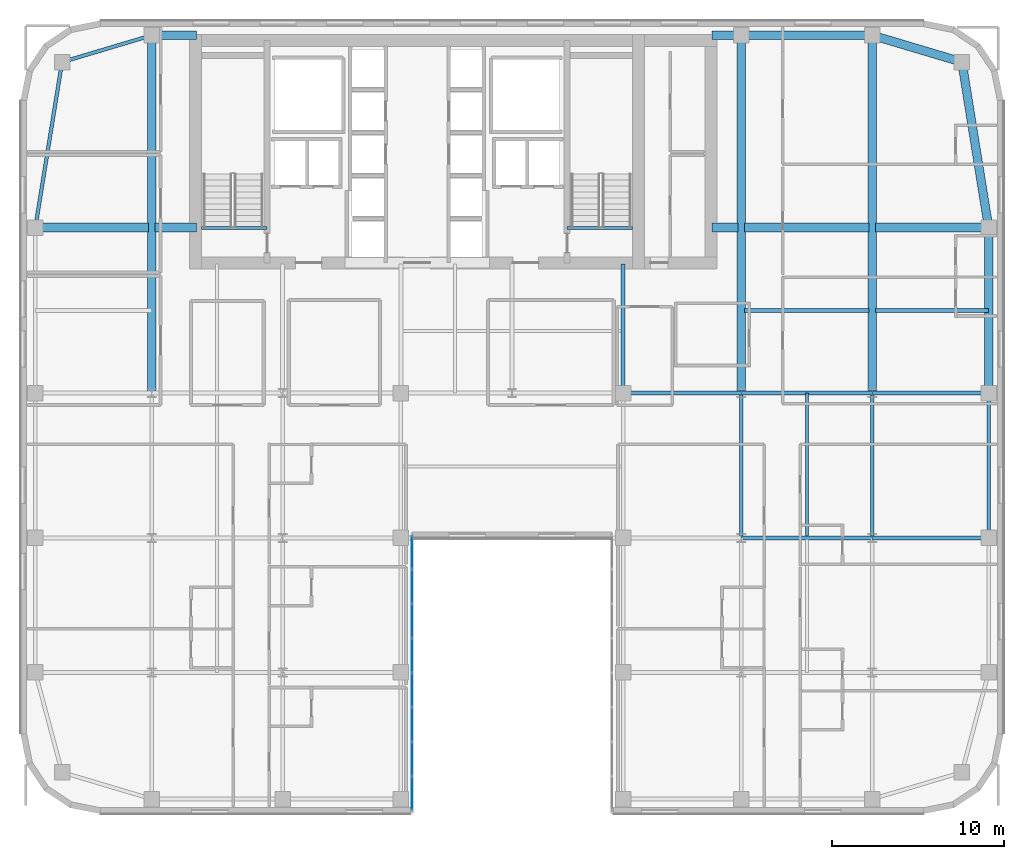
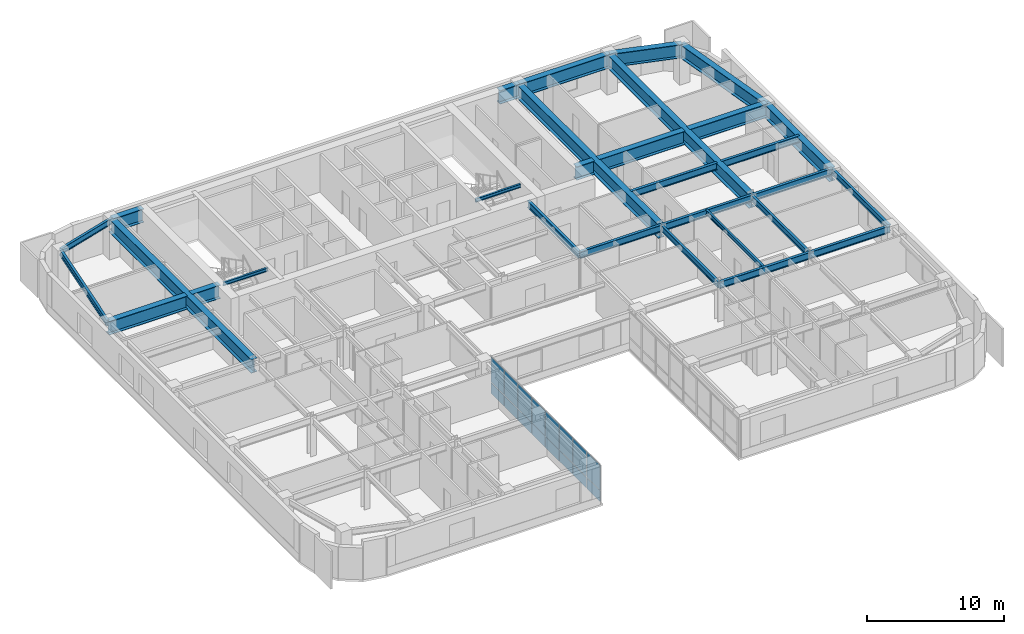
# One storey, part 12 of 24: 30 beams, 16 plates, 1 element without a shape of its own.
"""IFC4 building model written with IfcOpenShell, lengths in metres."""

from ifc_helpers import new_model, si_unit, direction, frame, origin, origin_2d, place, context, subcontext, project, spatial, rectangle, i_section, extrude, source, transform, mapped, material, layer, layer_set, material_profile, profile_set, type_object, type_shapes, element, aggregate, save


model = new_model("IFC4")

# Units and contexts
model_context = context("Model", 3, precision=1e-05, world=origin(), true_north=direction((0.0, 1.0)))
body_context = subcontext(model_context, "Body", "Model", "MODEL_VIEW")
ifc_project = project(units=[si_unit("LENGTHUNIT", "METRE"), si_unit("AREAUNIT", "SQUARE_METRE"), si_unit("VOLUMEUNIT", "CUBIC_METRE"), si_unit("PLANEANGLEUNIT", "RADIAN"), si_unit("MASSUNIT", "GRAM", prefix="KILO")], contexts=[model_context])

# Site, building, storey
site_placement = place(None, origin())
site = spatial("IfcSite", under=ifc_project, at=site_placement, CompositionType="ELEMENT")
building_placement = place(site_placement, origin())
building = spatial("IfcBuilding", under=site, at=building_placement, Name="Tolvann Quenvar Hotel", CompositionType="ELEMENT")
storey_placement = place(building_placement, frame((0.0, 0.0, 139.949951171875)))
storey = spatial("IfcBuildingStorey", under=building, at=storey_placement, Name="L36", CompositionType="ELEMENT", Elevation=139.949951171875)

# Beams
ifc_material_1 = material(Name="Steel Grade 350", Category="steel")
ifc_material_profile_1 = material_profile(ifc_material_1, i_section(OverallWidth=0.5, OverallDepth=1.199951171875, WebThickness=0.01611328125, FlangeThickness=0.0400390625, at=origin_2d()), Name="1200WB455")
ifc_profile_set_1 = profile_set([ifc_material_profile_1], Name="Steel Grade 350")
beam_type_1 = type_object("IfcBeamType", Name="BM_TG_1200WB455", PredefinedType="USERDEFINED", material=ifc_profile_set_1)
shared_shape_1 = source(origin(), body_context, "Body", "SweptSolid", [
    extrude(i_section(OverallWidth=0.5, OverallDepth=1.199951171875, WebThickness=0.01611328125, FlangeThickness=0.0400390625, at=origin_2d()), origin(), (0.0, 0.0, 1.0), 7.599853515625),
])
beam_1_placement = place(storey_placement, frame((49.39990234375, 45.14990234375, 2.77001953125), z_axis=(-1.0, 0.0, 0.0), x_axis=(0.0, -1.0, 0.0)))
element("IfcBeam", 1, at=beam_1_placement, inside=storey, type_object=beam_type_1, Name="BM-L36-FLK-E4", ObjectType="TRANSFER GIRDER", PredefinedType="USERDEFINED", context=body_context, shape_type="MappedRepresentation", body=[
    mapped(shared_shape_1, transform((0.0, 0.0, 0.0), x_axis=(1.0, 0.0, 0.0), y_axis=(0.0, 1.0, 0.0), z_axis=(0.0, 0.0, 1.0), scale=1.0)),
])
shared_shape_2 = source(origin(), body_context, "Body", "SweptSolid", [
    extrude(i_section(OverallWidth=0.5, OverallDepth=1.199951171875, WebThickness=0.01611328125, FlangeThickness=0.0400390625, at=origin_2d()), origin(), (0.0, 0.0, 1.0), 9.60009765625),
])
beam_2_placement = place(storey_placement, frame((56.14990234375, 24.39990234375, 2.77001953125), z_axis=(0.0, 1.0, 0.0), x_axis=(-1.0, 0.0, 0.0)))
element("IfcBeam", 2, at=beam_2_placement, inside=storey, type_object=beam_type_1, Name="BM-L36-FLK-E1", ObjectType="TRANSFER GIRDER", PredefinedType="USERDEFINED", context=body_context, shape_type="MappedRepresentation", body=[
    mapped(shared_shape_2, transform((0.0, 0.0, 0.0), x_axis=(1.0, 0.0, 0.0), y_axis=(0.0, 1.0, 0.0), z_axis=(0.0, 0.0, 1.0), scale=1.0)),
])
ifc_material_profile_2 = material_profile(ifc_material_1, i_section(OverallWidth=0.208984375, OverallDepth=0.528076171875, WebThickness=0.009521484375, FlangeThickness=0.01318359375, FilletRadius=0.013916015625, at=origin_2d()), Name="530UB82")
ifc_profile_set_2 = profile_set([ifc_material_profile_2], Name="Steel Grade 350")
beam_type_2 = type_object("IfcBeamType", Name="BM_SPAND_530UB82", PredefinedType="SPANDREL", material=ifc_profile_set_2)
shared_shape_3 = source(origin(), body_context, "Body", "SweptSolid", [
    extrude(i_section(OverallWidth=0.208984375, OverallDepth=0.528076171875, WebThickness=0.009521484375, FlangeThickness=0.01318359375, FilletRadius=0.013916015625, at=origin_2d()), origin(), (0.0, 0.0, 1.0), 5.42626953125),
])
beam_3_placement = place(storey_placement, frame((2.39990234375, 43.60009765625, 3.10595703125), z_axis=(0.958344815522, 0.285613750654, 0.0), x_axis=(-0.285613750654, 0.958344815522, 0.0)))
element("IfcBeam", 3, at=beam_3_placement, inside=storey, type_object=beam_type_2, Name="BM-L36-FLK-W3", PredefinedType="SPANDREL", context=body_context, shape_type="MappedRepresentation", body=[
    mapped(shared_shape_3, transform((0.0, 0.0, 0.0), x_axis=(1.0, 0.0, 0.0), y_axis=(0.0, 1.0, 0.0), z_axis=(0.0, 0.0, 1.0), scale=1.0)),
])
ifc_material_profile_3 = material_profile(ifc_material_1, i_section(OverallWidth=0.22900390625, OverallDepth=0.612060546875, WebThickness=0.011962890625, FlangeThickness=0.01953125, FilletRadius=0.013916015625, at=origin_2d()), Name="610UB125")
ifc_profile_set_3 = profile_set([ifc_material_profile_3], Name="Steel Grade 350")
beam_type_3 = type_object("IfcBeamType", Name="BM_GIRD_610UB125", PredefinedType="BEAM", material=ifc_profile_set_3)
shared_shape_4 = source(origin(), body_context, "Body", "SweptSolid", [
    extrude(i_section(OverallWidth=0.22900390625, OverallDepth=0.612060546875, WebThickness=0.011962890625, FlangeThickness=0.01953125, FilletRadius=0.013916015625, at=origin_2d()), origin(), (0.0, 0.0, 1.0), 6.75),
])
for number, where, z_axis, x_axis, name in (
    (4, (49.39990234375, 16.0, 3.06396484375), (1.0, 0.0, 0.0), (0.0, 1.0, 0.0), "BM-L36-EW-4-I4-J4"),
    (5, (49.39990234375, 24.39990234375, 3.06396484375), (1.0, 0.0, 0.0), (0.0, 1.0, 0.0), "BM-L36-EW-5-I5-J5"),
):
    element("IfcBeam", number, at=place(storey_placement, frame(where, z_axis=z_axis, x_axis=x_axis)), inside=storey, type_object=beam_type_3, Name=name, PredefinedType="BEAM", context=body_context, shape_type="MappedRepresentation", body=[
        mapped(shared_shape_4, transform((0.0, 0.0, 0.0), x_axis=(1.0, 0.0, 0.0), y_axis=(0.0, 1.0, 0.0), z_axis=(0.0, 0.0, 1.0), scale=1.0)),
    ])
shared_shape_5 = source(origin(), body_context, "Body", "SweptSolid", [
    extrude(i_section(OverallWidth=0.22900390625, OverallDepth=0.612060546875, WebThickness=0.011962890625, FlangeThickness=0.01953125, FilletRadius=0.013916015625, at=origin_2d()), origin(), (0.0, 0.0, 1.0), 7.599853515625),
])
for number, where, z_axis, x_axis, name in (
    (6, (41.800048828125, 16.0, 3.06396484375), (1.0, 0.0, 0.0), (0.0, 1.0, 0.0), "BM-L36-EW-4-H4-I4"),
    (7, (41.800048828125, 24.39990234375, 3.06396484375), (1.0, 0.0, 0.0), (0.0, 1.0, 0.0), "BM-L36-EW-5-H5-I5"),
):
    element("IfcBeam", number, at=place(storey_placement, frame(where, z_axis=z_axis, x_axis=x_axis)), inside=storey, type_object=beam_type_3, Name=name, PredefinedType="BEAM", context=body_context, shape_type="MappedRepresentation", body=[
        mapped(shared_shape_5, transform((0.0, 0.0, 0.0), x_axis=(1.0, 0.0, 0.0), y_axis=(0.0, 1.0, 0.0), z_axis=(0.0, 0.0, 1.0), scale=1.0)),
    ])
shared_shape_6 = source(origin(), body_context, "Body", "SweptSolid", [
    extrude(i_section(OverallWidth=0.22900390625, OverallDepth=0.612060546875, WebThickness=0.011962890625, FlangeThickness=0.01953125, FilletRadius=0.013916015625, at=origin_2d()), origin(), (0.0, 0.0, 1.0), 6.85009765625),
])
beam_4_placement = place(storey_placement, frame((34.949951171875, 24.39990234375, 3.06396484375), z_axis=(1.0, 0.0, 0.0), x_axis=(0.0, 1.0, 0.0)))
element("IfcBeam", 8, at=beam_4_placement, inside=storey, type_object=beam_type_3, Name="BM-L36-EW-5-F5-H5", PredefinedType="BEAM", context=body_context, shape_type="MappedRepresentation", body=[
    mapped(shared_shape_6, transform((0.0, 0.0, 0.0), x_axis=(1.0, 0.0, 0.0), y_axis=(0.0, 1.0, 0.0), z_axis=(0.0, 0.0, 1.0), scale=1.0)),
])
shared_shape_7 = source(origin(), body_context, "Body", "SweptSolid", [
    extrude(i_section(OverallWidth=0.208984375, OverallDepth=0.528076171875, WebThickness=0.009521484375, FlangeThickness=0.01318359375, FilletRadius=0.013916015625, at=origin_2d()), origin(), (0.0, 0.0, 1.0), 8.39990234375),
])
beam_5_placement = place(storey_placement, frame((56.14990234375, 16.0, 3.10595703125), z_axis=(0.0, 1.0, 0.0), x_axis=(-1.0, 0.0, 0.0)))
element("IfcBeam", 9, at=beam_5_placement, inside=storey, type_object=beam_type_2, Name="BM-L36-NS-J4-J5", PredefinedType="SPANDREL", context=body_context, shape_type="MappedRepresentation", body=[
    mapped(shared_shape_7, transform((0.0, 0.0, 0.0), x_axis=(1.0, 0.0, 0.0), y_axis=(0.0, 1.0, 0.0), z_axis=(0.0, 0.0, 1.0), scale=1.0)),
])
ifc_material_profile_4 = material_profile(ifc_material_1, i_section(OverallWidth=0.208984375, OverallDepth=0.532958984375, WebThickness=0.01025390625, FlangeThickness=0.015625, FilletRadius=0.013916015625, at=origin_2d()), Name="530UB92")
ifc_profile_set_4 = profile_set([ifc_material_profile_4], Name="Steel Grade 350")
beam_type_4 = type_object("IfcBeamType", Name="BM_GIRD_530UB92", PredefinedType="BEAM", material=ifc_profile_set_4)
shared_shape_8 = source(origin(), body_context, "Body", "SweptSolid", [
    extrude(i_section(OverallWidth=0.208984375, OverallDepth=0.532958984375, WebThickness=0.01025390625, FlangeThickness=0.015625, FilletRadius=0.013916015625, at=origin_2d()), origin(), (0.0, 0.0, 1.0), 8.39990234375),
])
type_shapes(beam_type_4, [shared_shape_8])
for number, where, z_axis, x_axis, name in (
    (10, (41.800048828125, 16.0, 3.103515625), (0.0, 1.0, 0.0), (-1.0, 0.0, 0.0), "BM-L36-NS-H4-H5"),
    (11, (49.39990234375, 16.0, 3.103515625), (0.0, 1.0, 0.0), (-1.0, 0.0, 0.0), "BM-L36-NS-I4-I5"),
):
    element("IfcBeam", number, at=place(storey_placement, frame(where, z_axis=z_axis, x_axis=x_axis)), inside=storey, type_object=beam_type_4, Name=name, PredefinedType="BEAM", context=body_context, shape_type="MappedRepresentation", body=[
        mapped(shared_shape_8, transform((0.0, 0.0, 0.0), x_axis=(1.0, 0.0, 0.0), y_axis=(0.0, 1.0, 0.0), z_axis=(0.0, 0.0, 1.0), scale=1.0)),
    ])
shared_shape_9 = source(origin(), body_context, "Body", "SweptSolid", [
    extrude(i_section(OverallWidth=0.22900390625, OverallDepth=0.612060546875, WebThickness=0.011962890625, FlangeThickness=0.01953125, FilletRadius=0.013916015625, at=origin_2d()), origin(), (0.0, 0.0, 1.0), 7.5),
])
beam_6_placement = place(storey_placement, frame((34.949951171875, 24.39990234375, 3.06396484375), z_axis=(0.0, 1.0, 0.0), x_axis=(-1.0, 0.0, 0.0)))
element("IfcBeam", 12, at=beam_6_placement, inside=storey, type_object=beam_type_3, Name="BM-L36-CORE-F5", PredefinedType="BEAM", context=body_context, shape_type="MappedRepresentation", body=[
    mapped(shared_shape_9, transform((0.0, 0.0, 0.0), x_axis=(1.0, 0.0, 0.0), y_axis=(0.0, 1.0, 0.0), z_axis=(0.0, 0.0, 1.0), scale=1.0)),
])
shared_shape_10 = source(origin(), body_context, "Body", "SweptSolid", [
    extrude(i_section(OverallWidth=0.208984375, OverallDepth=0.528076171875, WebThickness=0.009521484375, FlangeThickness=0.01318359375, FilletRadius=0.013916015625, at=origin_2d()), origin(), (0.0, 0.0, 1.0), 9.724365234375),
])
type_shapes(beam_type_2, [shared_shape_3, shared_shape_7, shared_shape_10])
beam_7_placement = place(storey_placement, frame((0.85009765625, 34.0, 3.10595703125), z_axis=(0.159372939192, 0.987218449105, 0.0), x_axis=(-0.987218449105, 0.159372939192, 0.0)))
element("IfcBeam", 13, at=beam_7_placement, inside=storey, type_object=beam_type_2, Name="BM-L36-FLK-W2", PredefinedType="SPANDREL", context=body_context, shape_type="MappedRepresentation", body=[
    mapped(shared_shape_10, transform((0.0, 0.0, 0.0), x_axis=(1.0, 0.0, 0.0), y_axis=(0.0, 1.0, 0.0), z_axis=(0.0, 0.0, 1.0), scale=1.0)),
])
shared_shape_11 = source(origin(), body_context, "Body", "SweptSolid", [
    extrude(i_section(OverallWidth=0.5, OverallDepth=1.199951171875, WebThickness=0.01611328125, FlangeThickness=0.0400390625, at=origin_2d()), origin(), (0.0, 0.0, 1.0), 20.75),
])
for number, where, z_axis, x_axis, name in (
    (14, (7.60009765625, 24.39990234375, 2.77001953125), (0.0, 1.0, 0.0), (-1.0, 0.0, 0.0), "BM-L36-FLK-WC"),
    (15, (41.800048828125, 24.39990234375, 2.77001953125), (0.0, 1.0, 0.0), (-1.0, 0.0, 0.0), "BM-L36-FLK-EH"),
    (16, (49.39990234375, 24.39990234375, 2.77001953125), (0.0, 1.0, 0.0), (-1.0, 0.0, 0.0), "BM-L36-FLK-EI"),
):
    element("IfcBeam", number, at=place(storey_placement, frame(where, z_axis=z_axis, x_axis=x_axis)), inside=storey, type_object=beam_type_1, Name=name, ObjectType="TRANSFER GIRDER", PredefinedType="USERDEFINED", context=body_context, shape_type="MappedRepresentation", body=[
        mapped(shared_shape_11, transform((0.0, 0.0, 0.0), x_axis=(1.0, 0.0, 0.0), y_axis=(0.0, 1.0, 0.0), z_axis=(0.0, 0.0, 1.0), scale=1.0)),
    ])
shared_shape_12 = source(origin(), body_context, "Body", "SweptSolid", [
    extrude(i_section(OverallWidth=0.5, OverallDepth=1.199951171875, WebThickness=0.01611328125, FlangeThickness=0.0400390625, at=origin_2d()), origin(), (0.0, 0.0, 1.0), 6.56982421875),
])
for number, where, z_axis, x_axis, name in (
    (17, (0.85009765625, 34.0, 2.77001953125), (1.0, 0.0, 0.0), (0.0, 1.0, 0.0), "BM-L36-CTW-MID1"),
    (18, (49.580078125, 34.0, 2.77001953125), (1.0, 0.0, 0.0), (0.0, 1.0, 0.0), "BM-L36-CTE-JD6C"),
):
    element("IfcBeam", number, at=place(storey_placement, frame(where, z_axis=z_axis, x_axis=x_axis)), inside=storey, type_object=beam_type_1, Name=name, ObjectType="TRANSFER GIRDER", PredefinedType="USERDEFINED", context=body_context, shape_type="MappedRepresentation", body=[
        mapped(shared_shape_12, transform((0.0, 0.0, 0.0), x_axis=(1.0, 0.0, 0.0), y_axis=(0.0, 1.0, 0.0), z_axis=(0.0, 0.0, 1.0), scale=1.0)),
    ])
shared_shape_13 = source(origin(), body_context, "Body", "SweptSolid", [
    extrude(i_section(OverallWidth=0.5, OverallDepth=1.199951171875, WebThickness=0.01611328125, FlangeThickness=0.0400390625, at=origin_2d()), origin(), (0.0, 0.0, 1.0), 2.419921875),
])
beam_8_placement = place(storey_placement, frame((7.780029296875, 34.0, 2.77001953125), z_axis=(1.0, 0.0, 0.0), x_axis=(0.0, 1.0, 0.0)))
element("IfcBeam", 19, at=beam_8_placement, inside=storey, type_object=beam_type_1, Name="BM-L36-CTW-MID2", ObjectType="TRANSFER GIRDER", PredefinedType="USERDEFINED", context=body_context, shape_type="MappedRepresentation", body=[
    mapped(shared_shape_13, transform((0.0, 0.0, 0.0), x_axis=(1.0, 0.0, 0.0), y_axis=(0.0, 1.0, 0.0), z_axis=(0.0, 0.0, 1.0), scale=1.0)),
])
shared_shape_14 = source(origin(), body_context, "Body", "SweptSolid", [
    extrude(i_section(OverallWidth=0.5, OverallDepth=1.199951171875, WebThickness=0.01611328125, FlangeThickness=0.0400390625, at=origin_2d()), origin(), (0.0, 0.0, 1.0), 2.599853515625),
])
beam_9_placement = place(storey_placement, frame((7.60009765625, 45.14990234375, 2.77001953125), z_axis=(1.0, 0.0, 0.0), x_axis=(0.0, 1.0, 0.0)))
element("IfcBeam", 20, at=beam_9_placement, inside=storey, type_object=beam_type_1, Name="BM-L36-CTW-CN", ObjectType="TRANSFER GIRDER", PredefinedType="USERDEFINED", context=body_context, shape_type="MappedRepresentation", body=[
    mapped(shared_shape_14, transform((0.0, 0.0, 0.0), x_axis=(1.0, 0.0, 0.0), y_axis=(0.0, 1.0, 0.0), z_axis=(0.0, 0.0, 1.0), scale=1.0)),
])
shared_shape_15 = source(origin(), body_context, "Body", "SweptSolid", [
    extrude(i_section(OverallWidth=0.5, OverallDepth=1.199951171875, WebThickness=0.01611328125, FlangeThickness=0.0400390625, at=origin_2d()), origin(), (0.0, 0.0, 1.0), 9.724365234375),
])
beam_10_placement = place(storey_placement, frame((56.14990234375, 34.0, 2.77001953125), z_axis=(-0.159372939192, 0.987218449105, 0.0), x_axis=(-0.987218449105, -0.159372939192, 0.0)))
element("IfcBeam", 21, at=beam_10_placement, inside=storey, type_object=beam_type_1, Name="BM-L36-FLK-E2", ObjectType="TRANSFER GIRDER", PredefinedType="USERDEFINED", context=body_context, shape_type="MappedRepresentation", body=[
    mapped(shared_shape_15, transform((0.0, 0.0, 0.0), x_axis=(1.0, 0.0, 0.0), y_axis=(0.0, 1.0, 0.0), z_axis=(0.0, 0.0, 1.0), scale=1.0)),
])
shared_shape_16 = source(origin(), body_context, "Body", "SweptSolid", [
    extrude(i_section(OverallWidth=0.5, OverallDepth=1.199951171875, WebThickness=0.01611328125, FlangeThickness=0.0400390625, at=origin_2d()), origin(), (0.0, 0.0, 1.0), 5.42626953125),
])
beam_11_placement = place(storey_placement, frame((54.60009765625, 43.60009765625, 2.77001953125), z_axis=(-0.958344815522, 0.285613750654, 0.0), x_axis=(-0.285613750654, -0.958344815522, 0.0)))
element("IfcBeam", 22, at=beam_11_placement, inside=storey, type_object=beam_type_1, Name="BM-L36-FLK-E3", ObjectType="TRANSFER GIRDER", PredefinedType="USERDEFINED", context=body_context, shape_type="MappedRepresentation", body=[
    mapped(shared_shape_16, transform((0.0, 0.0, 0.0), x_axis=(1.0, 0.0, 0.0), y_axis=(0.0, 1.0, 0.0), z_axis=(0.0, 0.0, 1.0), scale=1.0)),
])
shared_shape_17 = source(origin(), body_context, "Body", "SweptSolid", [
    extrude(i_section(OverallWidth=0.5, OverallDepth=1.199951171875, WebThickness=0.01611328125, FlangeThickness=0.0400390625, at=origin_2d()), origin(), (0.0, 0.0, 1.0), 1.699951171875),
])
beam_12_placement = place(storey_placement, frame((40.10009765625, 45.14990234375, 2.77001953125), z_axis=(1.0, 0.0, 0.0), x_axis=(0.0, 1.0, 0.0)))
element("IfcBeam", 23, at=beam_12_placement, inside=storey, type_object=beam_type_1, Name="BM-L36-CTE-HN", ObjectType="TRANSFER GIRDER", PredefinedType="USERDEFINED", context=body_context, shape_type="MappedRepresentation", body=[
    mapped(shared_shape_17, transform((0.0, 0.0, 0.0), x_axis=(1.0, 0.0, 0.0), y_axis=(0.0, 1.0, 0.0), z_axis=(0.0, 0.0, 1.0), scale=1.0)),
])
shared_shape_18 = source(origin(), body_context, "Body", "SweptSolid", [
    extrude(i_section(OverallWidth=0.5, OverallDepth=1.199951171875, WebThickness=0.01611328125, FlangeThickness=0.0400390625, at=origin_2d()), origin(), (0.0, 0.0, 1.0), 1.52001953125),
])
beam_13_placement = place(storey_placement, frame((40.10009765625, 34.0, 2.77001953125), z_axis=(1.0, 0.0, 0.0), x_axis=(0.0, 1.0, 0.0)))
element("IfcBeam", 24, at=beam_13_placement, inside=storey, type_object=beam_type_1, Name="BM-L36-CTE-JD6A", ObjectType="TRANSFER GIRDER", PredefinedType="USERDEFINED", context=body_context, shape_type="MappedRepresentation", body=[
    mapped(shared_shape_18, transform((0.0, 0.0, 0.0), x_axis=(1.0, 0.0, 0.0), y_axis=(0.0, 1.0, 0.0), z_axis=(0.0, 0.0, 1.0), scale=1.0)),
])
shared_shape_19 = source(origin(), body_context, "Body", "SweptSolid", [
    extrude(i_section(OverallWidth=0.5, OverallDepth=1.199951171875, WebThickness=0.01611328125, FlangeThickness=0.0400390625, at=origin_2d()), origin(), (0.0, 0.0, 1.0), 7.239990234375),
])
type_shapes(beam_type_1, [shared_shape_1, shared_shape_2, shared_shape_11, shared_shape_12, shared_shape_13, shared_shape_14, shared_shape_15, shared_shape_16, shared_shape_17, shared_shape_18, shared_shape_19])
beam_14_placement = place(storey_placement, frame((41.97998046875, 34.0, 2.77001953125), z_axis=(1.0, 0.0, 0.0), x_axis=(0.0, 1.0, 0.0)))
element("IfcBeam", 25, at=beam_14_placement, inside=storey, type_object=beam_type_1, Name="BM-L36-CTE-JD6B", ObjectType="TRANSFER GIRDER", PredefinedType="USERDEFINED", context=body_context, shape_type="MappedRepresentation", body=[
    mapped(shared_shape_19, transform((0.0, 0.0, 0.0), x_axis=(1.0, 0.0, 0.0), y_axis=(0.0, 1.0, 0.0), z_axis=(0.0, 0.0, 1.0), scale=1.0)),
])
shared_shape_20 = source(origin(), body_context, "Body", "SweptSolid", [
    extrude(i_section(OverallWidth=0.22900390625, OverallDepth=0.612060546875, WebThickness=0.011962890625, FlangeThickness=0.01953125, FilletRadius=0.013916015625, at=origin_2d()), origin(), (0.0, 0.0, 1.0), 7.239990234375),
])
beam_15_placement = place(storey_placement, frame((41.97998046875, 29.199951171875, 3.06396484375), z_axis=(1.0, 0.0, 0.0), x_axis=(0.0, 1.0, 0.0)))
element("IfcBeam", 26, at=beam_15_placement, inside=storey, type_object=beam_type_3, Name="BM-L36-EW-HI29", PredefinedType="BEAM", context=body_context, shape_type="MappedRepresentation", body=[
    mapped(shared_shape_20, transform((0.0, 0.0, 0.0), x_axis=(1.0, 0.0, 0.0), y_axis=(0.0, 1.0, 0.0), z_axis=(0.0, 0.0, 1.0), scale=1.0)),
])
shared_shape_21 = source(origin(), body_context, "Body", "SweptSolid", [
    extrude(i_section(OverallWidth=0.22900390625, OverallDepth=0.612060546875, WebThickness=0.011962890625, FlangeThickness=0.01953125, FilletRadius=0.013916015625, at=origin_2d()), origin(), (0.0, 0.0, 1.0), 6.56982421875),
])
type_shapes(beam_type_3, [shared_shape_4, shared_shape_5, shared_shape_6, shared_shape_9, shared_shape_20, shared_shape_21])
beam_16_placement = place(storey_placement, frame((49.580078125, 29.199951171875, 3.06396484375), z_axis=(1.0, 0.0, 0.0), x_axis=(0.0, 1.0, 0.0)))
element("IfcBeam", 27, at=beam_16_placement, inside=storey, type_object=beam_type_3, Name="BM-L36-EW-IJ29", PredefinedType="BEAM", context=body_context, shape_type="MappedRepresentation", body=[
    mapped(shared_shape_21, transform((0.0, 0.0, 0.0), x_axis=(1.0, 0.0, 0.0), y_axis=(0.0, 1.0, 0.0), z_axis=(0.0, 0.0, 1.0), scale=1.0)),
])
ifc_material_profile_5 = material_profile(ifc_material_1, i_section(OverallWidth=0.177978515625, OverallDepth=0.406005859375, WebThickness=0.0078125, FlangeThickness=0.0126953125, FilletRadius=0.011474609375, at=origin_2d()), Name="410UB60")
ifc_profile_set_5 = profile_set([ifc_material_profile_5], Name="Steel Grade 350")
beam_type_5 = type_object("IfcBeamType", Name="BM_JOIST_410UB60", PredefinedType="JOIST", material=ifc_profile_set_5)
shared_shape_22 = source(origin(), body_context, "Body", "SweptSolid", [
    extrude(i_section(OverallWidth=0.177978515625, OverallDepth=0.406005859375, WebThickness=0.0078125, FlangeThickness=0.0126953125, FilletRadius=0.011474609375, at=origin_2d()), origin(), (0.0, 0.0, 1.0), 8.29150390625),
])
type_shapes(beam_type_5, [shared_shape_22])
beam_17_placement = place(storey_placement, frame((45.60009765625, 16.1083984375, 3.1669921875), z_axis=(0.0, 1.0, 0.0), x_axis=(-1.0, 0.0, 0.0)))
element("IfcBeam", 28, at=beam_17_placement, inside=storey, type_object=beam_type_5, Name="BJ-L36-456-160", PredefinedType="JOIST", context=body_context, shape_type="MappedRepresentation", body=[
    mapped(shared_shape_22, transform((0.0, 0.0, 0.0), x_axis=(1.0, 0.0, 0.0), y_axis=(0.0, 1.0, 0.0), z_axis=(0.0, 0.0, 1.0), scale=1.0)),
])
ifc_material_profile_6 = material_profile(ifc_material_1, i_section(OverallWidth=0.166015625, OverallDepth=0.306884765625, WebThickness=0.006591796875, FlangeThickness=0.01171875, FilletRadius=0.011474609375, at=origin_2d()), Name="310UB46")
ifc_profile_set_6 = profile_set([ifc_material_profile_6], Name="Steel Grade 350")
beam_type_6 = type_object("IfcBeamType", Name="BM_JOIST_310UB46", PredefinedType="JOIST", material=ifc_profile_set_6)
shared_shape_23 = source(origin(), body_context, "Body", "SweptSolid", [
    extrude(i_section(OverallWidth=0.166015625, OverallDepth=0.306884765625, WebThickness=0.006591796875, FlangeThickness=0.01171875, FilletRadius=0.011474609375, at=origin_2d()), origin(), (0.0, 0.0, 1.0), 3.800048828125),
])
type_shapes(beam_type_6, [shared_shape_23])
for number, where, z_axis, x_axis, name in (
    (29, (10.5, 33.97998046875, 3.216552734375), (1.0, 0.0, 0.0), (0.0, 1.0, 0.0), "BM-HDR-STC1-L37"),
    (30, (31.699951171875, 33.97998046875, 3.216552734375), (1.0, 0.0, 0.0), (0.0, 1.0, 0.0), "BM-HDR-STC2-L37"),
):
    element("IfcBeam", number, at=place(storey_placement, frame(where, z_axis=z_axis, x_axis=x_axis)), inside=storey, type_object=beam_type_6, Name=name, PredefinedType="JOIST", context=body_context, shape_type="MappedRepresentation", body=[
        mapped(shared_shape_23, transform((0.0, 0.0, 0.0), x_axis=(1.0, 0.0, 0.0), y_axis=(0.0, 1.0, 0.0), z_axis=(0.0, 0.0, 1.0), scale=1.0)),
    ])

# Curtain wall, plates
ifc_material_2 = material(Name="Thermally broken anodised architectural aluminium 6063-T6 and laminated low-E glass", Category="aluminium")
ifc_layer_1 = layer(ifc_material_2, 0.179931640625)
ifc_layer_set_1 = layer_set([ifc_layer_1], Name="Thermally broken anodised architectural aluminium 6063-T6 and laminated low-E glass")
curtain_wall_type = type_object("IfcCurtainWallType", Name="CW_SYS_SLOT_03", PredefinedType="USERDEFINED", material=ifc_layer_set_1)
curtain_wall_placement = place(storey_placement, origin())
curtain_wall = element("IfcCurtainWall", 31, at=curtain_wall_placement, inside=storey, type_object=curtain_wall_type, Name="Curtain Wall CW-SLOT-03 (CWR-L36-E05)", ObjectType="UNITISED CURTAIN WALL", PredefinedType="USERDEFINED")
ifc_material_3 = material(Name="Low-iron laminated double glazing with solar-control coating", Category="glass")
ifc_layer_2 = layer(ifc_material_3, 0.028076171875)
ifc_layer_set_2 = layer_set([ifc_layer_2], Name="Low-iron laminated double glazing with solar-control coating")
plate_type = type_object("IfcPlateType", Name="CW_PAN_VISION_28", PredefinedType="CURTAIN_PANEL", material=ifc_layer_set_2)
shared_shape_24 = source(origin(), body_context, "Body", "SweptSolid", [
    extrude(rectangle(XDim=1.89501953125, YDim=0.028076171875, at=origin_2d()), origin(), (0.0, 0.0, 1.0), 0.9599609375),
])
plate_1_placement = place(storey_placement, frame((22.7099609375, 1.1923828125, 0.06005859375), z_axis=(0.0, 0.0, 1.0), x_axis=(0.0, 1.0, 0.0)))
plate_1 = element("IfcPlate", 32, at=plate_1_placement, type_object=plate_type, Name="CW-SLOT-03 panel 1.1", PredefinedType="CURTAIN_PANEL", context=body_context, shape_type="MappedRepresentation", body=[
    mapped(shared_shape_24, transform((0.0, 0.0, 0.0), x_axis=(1.0, 0.0, 0.0), y_axis=(0.0, 1.0, 0.0), z_axis=(0.0, 0.0, 1.0), scale=1.0)),
])
plate_2_placement = place(storey_placement, frame((22.7099609375, 15.157470703125, 0.06005859375), z_axis=(0.0, 0.0, 1.0), x_axis=(0.0, 1.0, 0.0)))
plate_2 = element("IfcPlate", 33, at=plate_2_placement, type_object=plate_type, Name="CW-SLOT-03 panel 8.1", PredefinedType="CURTAIN_PANEL", context=body_context, shape_type="MappedRepresentation", body=[
    mapped(shared_shape_24, transform((0.0, 0.0, 0.0), x_axis=(1.0, 0.0, 0.0), y_axis=(0.0, 1.0, 0.0), z_axis=(0.0, 0.0, 1.0), scale=1.0)),
])
shared_shape_25 = source(origin(), body_context, "Body", "SweptSolid", [
    extrude(rectangle(XDim=1.89501953125, YDim=0.028076171875, at=origin_2d()), origin(), (0.0, 0.0, 1.0), 2.22998046875),
])
plate_3_placement = place(storey_placement, frame((22.7099609375, 1.1923828125, 1.080078125), z_axis=(0.0, 0.0, 1.0), x_axis=(0.0, 1.0, 0.0)))
plate_3 = element("IfcPlate", 34, at=plate_3_placement, type_object=plate_type, Name="CW-SLOT-03 panel 1.2", PredefinedType="CURTAIN_PANEL", context=body_context, shape_type="MappedRepresentation", body=[
    mapped(shared_shape_25, transform((0.0, 0.0, 0.0), x_axis=(1.0, 0.0, 0.0), y_axis=(0.0, 1.0, 0.0), z_axis=(0.0, 0.0, 1.0), scale=1.0)),
])
plate_4_placement = place(storey_placement, frame((22.7099609375, 15.157470703125, 1.080078125), z_axis=(0.0, 0.0, 1.0), x_axis=(0.0, 1.0, 0.0)))
plate_4 = element("IfcPlate", 35, at=plate_4_placement, type_object=plate_type, Name="CW-SLOT-03 panel 8.2", PredefinedType="CURTAIN_PANEL", context=body_context, shape_type="MappedRepresentation", body=[
    mapped(shared_shape_25, transform((0.0, 0.0, 0.0), x_axis=(1.0, 0.0, 0.0), y_axis=(0.0, 1.0, 0.0), z_axis=(0.0, 0.0, 1.0), scale=1.0)),
])
shared_shape_26 = source(origin(), body_context, "Body", "SweptSolid", [
    extrude(rectangle(XDim=1.929931640625, YDim=0.028076171875, at=origin_2d()), origin(), (0.0, 0.0, 1.0), 0.9599609375),
])
plate_5_placement = place(storey_placement, frame((22.7099609375, 3.175048828125, 0.06005859375), z_axis=(0.0, 0.0, 1.0), x_axis=(0.0, 1.0, 0.0)))
plate_5 = element("IfcPlate", 36, at=plate_5_placement, type_object=plate_type, Name="CW-SLOT-03 panel 2.1", PredefinedType="CURTAIN_PANEL", context=body_context, shape_type="MappedRepresentation", body=[
    mapped(shared_shape_26, transform((0.0, 0.0, 0.0), x_axis=(1.0, 0.0, 0.0), y_axis=(0.0, 1.0, 0.0), z_axis=(0.0, 0.0, 1.0), scale=1.0)),
])
plate_6_placement = place(storey_placement, frame((22.7099609375, 5.175048828125, 0.06005859375), z_axis=(0.0, 0.0, 1.0), x_axis=(0.0, 1.0, 0.0)))
plate_6 = element("IfcPlate", 37, at=plate_6_placement, type_object=plate_type, Name="CW-SLOT-03 panel 3.1", PredefinedType="CURTAIN_PANEL", context=body_context, shape_type="MappedRepresentation", body=[
    mapped(shared_shape_26, transform((0.0, 0.0, 0.0), x_axis=(1.0, 0.0, 0.0), y_axis=(0.0, 1.0, 0.0), z_axis=(0.0, 0.0, 1.0), scale=1.0)),
])
plate_7_placement = place(storey_placement, frame((22.7099609375, 7.175048828125, 0.06005859375), z_axis=(0.0, 0.0, 1.0), x_axis=(0.0, 1.0, 0.0)))
plate_7 = element("IfcPlate", 38, at=plate_7_placement, type_object=plate_type, Name="CW-SLOT-03 panel 4.1", PredefinedType="CURTAIN_PANEL", context=body_context, shape_type="MappedRepresentation", body=[
    mapped(shared_shape_26, transform((0.0, 0.0, 0.0), x_axis=(1.0, 0.0, 0.0), y_axis=(0.0, 1.0, 0.0), z_axis=(0.0, 0.0, 1.0), scale=1.0)),
])
plate_8_placement = place(storey_placement, frame((22.7099609375, 9.175048828125, 0.06005859375), z_axis=(0.0, 0.0, 1.0), x_axis=(0.0, 1.0, 0.0)))
plate_8 = element("IfcPlate", 39, at=plate_8_placement, type_object=plate_type, Name="CW-SLOT-03 panel 5.1", PredefinedType="CURTAIN_PANEL", context=body_context, shape_type="MappedRepresentation", body=[
    mapped(shared_shape_26, transform((0.0, 0.0, 0.0), x_axis=(1.0, 0.0, 0.0), y_axis=(0.0, 1.0, 0.0), z_axis=(0.0, 0.0, 1.0), scale=1.0)),
])
plate_9_placement = place(storey_placement, frame((22.7099609375, 11.175048828125, 0.06005859375), z_axis=(0.0, 0.0, 1.0), x_axis=(0.0, 1.0, 0.0)))
plate_9 = element("IfcPlate", 40, at=plate_9_placement, type_object=plate_type, Name="CW-SLOT-03 panel 6.1", PredefinedType="CURTAIN_PANEL", context=body_context, shape_type="MappedRepresentation", body=[
    mapped(shared_shape_26, transform((0.0, 0.0, 0.0), x_axis=(1.0, 0.0, 0.0), y_axis=(0.0, 1.0, 0.0), z_axis=(0.0, 0.0, 1.0), scale=1.0)),
])
plate_10_placement = place(storey_placement, frame((22.7099609375, 13.175048828125, 0.06005859375), z_axis=(0.0, 0.0, 1.0), x_axis=(0.0, 1.0, 0.0)))
plate_10 = element("IfcPlate", 41, at=plate_10_placement, type_object=plate_type, Name="CW-SLOT-03 panel 7.1", PredefinedType="CURTAIN_PANEL", context=body_context, shape_type="MappedRepresentation", body=[
    mapped(shared_shape_26, transform((0.0, 0.0, 0.0), x_axis=(1.0, 0.0, 0.0), y_axis=(0.0, 1.0, 0.0), z_axis=(0.0, 0.0, 1.0), scale=1.0)),
])
shared_shape_27 = source(origin(), body_context, "Body", "SweptSolid", [
    extrude(rectangle(XDim=1.929931640625, YDim=0.028076171875, at=origin_2d()), origin(), (0.0, 0.0, 1.0), 2.22998046875),
])
type_shapes(plate_type, [shared_shape_24, shared_shape_25, shared_shape_26, shared_shape_27])
plate_11_placement = place(storey_placement, frame((22.7099609375, 3.175048828125, 1.080078125), z_axis=(0.0, 0.0, 1.0), x_axis=(0.0, 1.0, 0.0)))
plate_11 = element("IfcPlate", 42, at=plate_11_placement, type_object=plate_type, Name="CW-SLOT-03 panel 2.2", PredefinedType="CURTAIN_PANEL", context=body_context, shape_type="MappedRepresentation", body=[
    mapped(shared_shape_27, transform((0.0, 0.0, 0.0), x_axis=(1.0, 0.0, 0.0), y_axis=(0.0, 1.0, 0.0), z_axis=(0.0, 0.0, 1.0), scale=1.0)),
])
plate_12_placement = place(storey_placement, frame((22.7099609375, 5.175048828125, 1.080078125), z_axis=(0.0, 0.0, 1.0), x_axis=(0.0, 1.0, 0.0)))
plate_12 = element("IfcPlate", 43, at=plate_12_placement, type_object=plate_type, Name="CW-SLOT-03 panel 3.2", PredefinedType="CURTAIN_PANEL", context=body_context, shape_type="MappedRepresentation", body=[
    mapped(shared_shape_27, transform((0.0, 0.0, 0.0), x_axis=(1.0, 0.0, 0.0), y_axis=(0.0, 1.0, 0.0), z_axis=(0.0, 0.0, 1.0), scale=1.0)),
])
plate_13_placement = place(storey_placement, frame((22.7099609375, 7.175048828125, 1.080078125), z_axis=(0.0, 0.0, 1.0), x_axis=(0.0, 1.0, 0.0)))
plate_13 = element("IfcPlate", 44, at=plate_13_placement, type_object=plate_type, Name="CW-SLOT-03 panel 4.2", PredefinedType="CURTAIN_PANEL", context=body_context, shape_type="MappedRepresentation", body=[
    mapped(shared_shape_27, transform((0.0, 0.0, 0.0), x_axis=(1.0, 0.0, 0.0), y_axis=(0.0, 1.0, 0.0), z_axis=(0.0, 0.0, 1.0), scale=1.0)),
])
plate_14_placement = place(storey_placement, frame((22.7099609375, 9.175048828125, 1.080078125), z_axis=(0.0, 0.0, 1.0), x_axis=(0.0, 1.0, 0.0)))
plate_14 = element("IfcPlate", 45, at=plate_14_placement, type_object=plate_type, Name="CW-SLOT-03 panel 5.2", PredefinedType="CURTAIN_PANEL", context=body_context, shape_type="MappedRepresentation", body=[
    mapped(shared_shape_27, transform((0.0, 0.0, 0.0), x_axis=(1.0, 0.0, 0.0), y_axis=(0.0, 1.0, 0.0), z_axis=(0.0, 0.0, 1.0), scale=1.0)),
])
plate_15_placement = place(storey_placement, frame((22.7099609375, 11.175048828125, 1.080078125), z_axis=(0.0, 0.0, 1.0), x_axis=(0.0, 1.0, 0.0)))
plate_15 = element("IfcPlate", 46, at=plate_15_placement, type_object=plate_type, Name="CW-SLOT-03 panel 6.2", PredefinedType="CURTAIN_PANEL", context=body_context, shape_type="MappedRepresentation", body=[
    mapped(shared_shape_27, transform((0.0, 0.0, 0.0), x_axis=(1.0, 0.0, 0.0), y_axis=(0.0, 1.0, 0.0), z_axis=(0.0, 0.0, 1.0), scale=1.0)),
])
plate_16_placement = place(storey_placement, frame((22.7099609375, 13.175048828125, 1.080078125), z_axis=(0.0, 0.0, 1.0), x_axis=(0.0, 1.0, 0.0)))
plate_16 = element("IfcPlate", 47, at=plate_16_placement, type_object=plate_type, Name="CW-SLOT-03 panel 7.2", PredefinedType="CURTAIN_PANEL", context=body_context, shape_type="MappedRepresentation", body=[
    mapped(shared_shape_27, transform((0.0, 0.0, 0.0), x_axis=(1.0, 0.0, 0.0), y_axis=(0.0, 1.0, 0.0), z_axis=(0.0, 0.0, 1.0), scale=1.0)),
])
aggregate(curtain_wall, [plate_1, plate_3, plate_5, plate_11, plate_6, plate_12, plate_7, plate_13, plate_8, plate_14, plate_9, plate_15, plate_10, plate_16, plate_2, plate_4])

save(model, "model.ifc")
